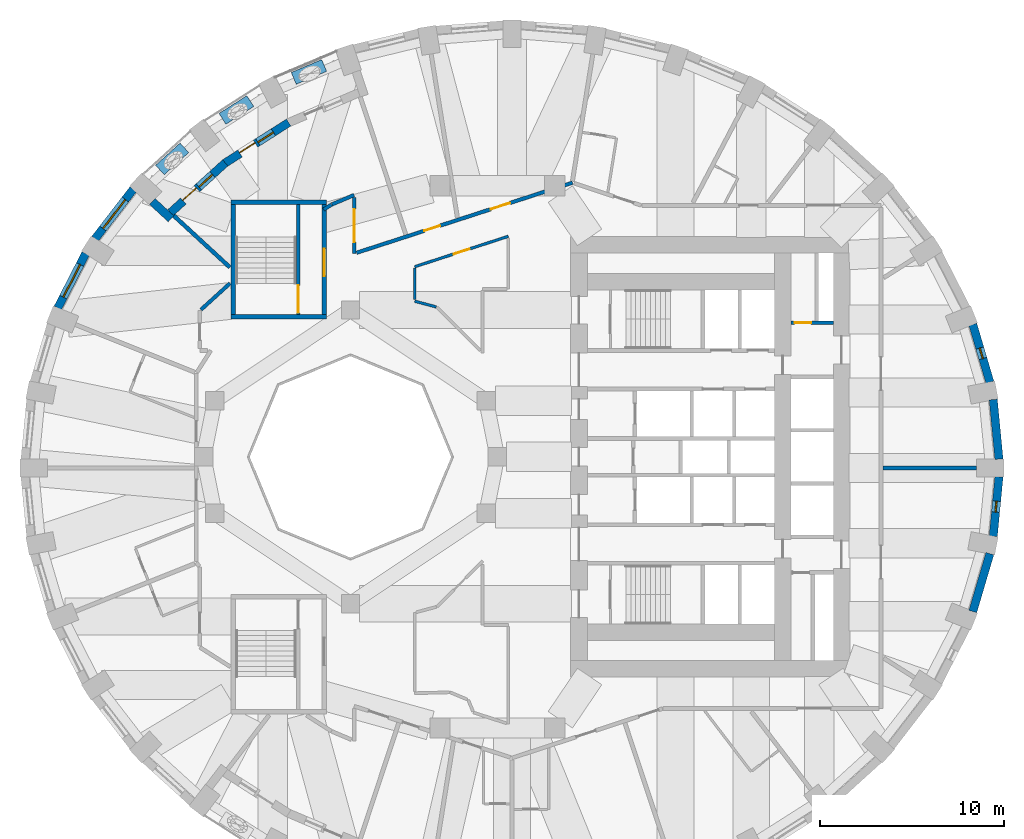
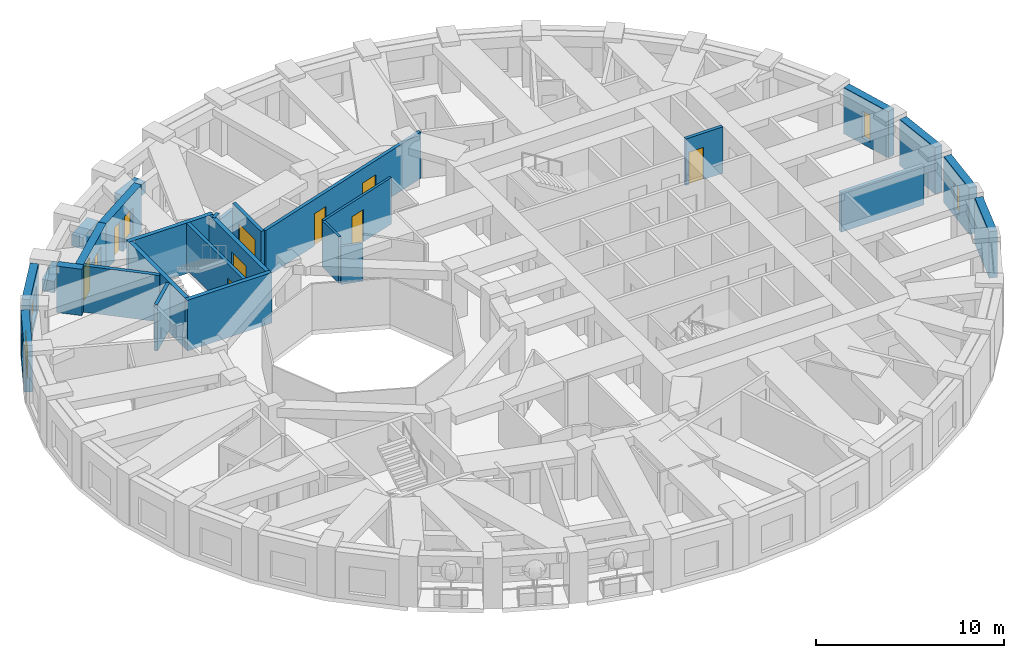
# One storey, part 7 of 12: 28 walls, 9 doors, 6 windows, 15 openings.
"""IFC4 building model written with IfcOpenShell, lengths in metres."""

from ifc_helpers import new_model, si_unit, direction, frame, frame_2d, origin, place, context, subcontext, project, spatial, rectangle, extrude, material, layer, layer_set, constituent, constituent_set, type_object, element, fill, save


model = new_model("IFC4")

# Units and contexts
model_context = context("Model", 3, precision=1e-05, world=origin(), true_north=direction((0.0, 1.0)))
body_context = subcontext(model_context, "Body", "Model", "MODEL_VIEW")
ifc_project = project(units=[si_unit("LENGTHUNIT", "METRE"), si_unit("AREAUNIT", "SQUARE_METRE"), si_unit("VOLUMEUNIT", "CUBIC_METRE"), si_unit("PLANEANGLEUNIT", "RADIAN"), si_unit("MASSUNIT", "GRAM", prefix="KILO")], contexts=[model_context])

# Site, building, storey
site_placement = place(None, origin())
site = spatial("IfcSite", under=ifc_project, at=site_placement, CompositionType="ELEMENT")
building_placement = place(site_placement, origin())
building = spatial("IfcBuilding", under=site, at=building_placement, Name="Taillehof Tower", CompositionType="ELEMENT")
storey_placement = place(building_placement, frame((0.0, 0.0, 125.199951171875)))
storey = spatial("IfcBuildingStorey", under=building, at=storey_placement, Name="L35", CompositionType="ELEMENT", Elevation=125.199951171875)

# Wall
ifc_material_1 = material(Name="Brick masonry", Category="masonry")
ifc_layer_1 = layer(ifc_material_1, 0.449951171875)
ifc_layer_set_1 = layer_set([ifc_layer_1], Name="Brick infill wall 450")
wall_type_1 = type_object("IfcWallType", Name="Brick infill wall 450", PredefinedType="SOLIDWALL", material=ifc_layer_set_1)
wall_1_placement = place(storey_placement, frame((27.32763671875, -0.119873046875, 0.0), z_axis=(0.0, 0.0, 1.0), x_axis=(-0.09589355735, 0.995391594127, 0.0)))
element("IfcWall", 1, at=wall_1_placement, inside=storey, type_object=wall_type_1, Name="Brick wall L35 bay 1", PredefinedType="SOLIDWALL", context=body_context, shape_type="SweptSolid", body=[
    extrude(rectangle(XDim=3.261474609375, YDim=0.449951171875, at=frame_2d((1.630859375, 0.0))), origin(), (0.0, 0.0, 1.0), 3.02001953125),
])

# Wall, opening, window
wall_2_placement = place(storey_placement, frame((26.83203125, 4.069091796875, 0.0), z_axis=(0.0, 0.0, 1.0), x_axis=(-0.283002902729, 0.959119052593, 0.0)))
wall_2 = element("IfcWall", 2, at=wall_2_placement, inside=storey, type_object=wall_type_1, Name="Brick wall L35 bay 2", PredefinedType="SOLIDWALL", context=body_context, shape_type="SweptSolid", body=[
    extrude(rectangle(XDim=3.285888671875, YDim=0.449951171875, at=frame_2d((1.64306640625, 0.0))), origin(), (0.0, 0.0, 1.0), 3.02001953125),
])
opening_1_placement = place(wall_2_placement, frame((1.343017578125, 0.0, 0.39990234375)))
opening_1 = element("IfcOpeningElement", 3, at=opening_1_placement, cuts=wall_2, Name="Opening W6", PredefinedType="OPENING", context=body_context, shape_type="SweptSolid", body=[
    extrude(rectangle(XDim=0.60009765625, YDim=1.75, at=frame_2d((0.300048828125, 0.875))), frame((0.0, 0.23486328125, 0.0), z_axis=(0.0, -1.0, 0.0), x_axis=(1.0, 0.0, 0.0)), (0.0, 0.0, 1.0), 0.469970703125),
])
ifc_material_2 = material(Name="Aluminium window frame with clear double glazing", Category="aluminium")
window_type_1 = type_object("IfcWindowType", Name="Slot window 600x1750", PartitioningType="SINGLE_PANEL", PredefinedType="WINDOW", material=ifc_material_2)
window_1_placement = place(opening_1_placement, origin())
window_1 = element("IfcWindow", 4, at=window_1_placement, inside=storey, type_object=window_type_1, Name="W6", OverallHeight=1.75, OverallWidth=0.60009765625, PartitioningType="SINGLE_PANEL", PredefinedType="WINDOW", context=body_context, shape_type="SweptSolid", body=[
    extrude(rectangle(XDim=0.60009765625, YDim=1.75, at=frame_2d((0.300048828125, 0.875))), frame((0.0, 0.034912109375, 0.0), z_axis=(0.0, -1.0, 0.0), x_axis=(1.0, 0.0, 0.0)), (0.0, 0.0, 1.0), 0.06005859375),
])
fill(opening_1, window_1)

wall_3_placement = place(storey_placement, frame((-19.835205078125, 14.575439453125, 0.0), z_axis=(0.0, 0.0, 1.0), x_axis=(-0.610693945156, -0.791866721961, 0.0)))
wall_3 = element("IfcWall", 5, at=wall_3_placement, inside=storey, type_object=wall_type_1, Name="Brick wall L35 bay 15", PredefinedType="SOLIDWALL", context=body_context, shape_type="SweptSolid", body=[
    extrude(rectangle(XDim=3.39453125, YDim=0.449951171875, at=frame_2d((1.697265625, 0.0))), origin(), (0.0, 0.0, 1.0), 3.02001953125),
])
opening_2_placement = place(wall_3_placement, frame((0.697265625, 0.0, 0.39990234375)))
opening_2 = element("IfcOpeningElement", 6, at=opening_2_placement, cuts=wall_3, Name="Opening W2", PredefinedType="OPENING", context=body_context, shape_type="SweptSolid", body=[
    extrude(rectangle(XDim=2.0, YDim=1.75, at=frame_2d((1.0, 0.875))), frame((0.0, 0.23486328125, 0.0), z_axis=(0.0, -1.0, 0.0), x_axis=(1.0, 0.0, 0.0)), (0.0, 0.0, 1.0), 0.469970703125),
])
ifc_material_3 = material(Name="Aluminium window frame with clear double glazing", Category="aluminium")
window_type_2 = type_object("IfcWindowType", Name="Deep-set window 2000x1750", PartitioningType="SINGLE_PANEL", PredefinedType="WINDOW", material=ifc_material_3)
window_2_placement = place(opening_2_placement, origin())
window_2 = element("IfcWindow", 7, at=window_2_placement, inside=storey, type_object=window_type_2, Name="W2", OverallHeight=1.75, OverallWidth=2.0, PartitioningType="SINGLE_PANEL", PredefinedType="WINDOW", context=body_context, shape_type="SweptSolid", body=[
    extrude(rectangle(XDim=2.0, YDim=1.75, at=frame_2d((1.0, 0.875))), frame((0.0, 0.034912109375, 0.0), z_axis=(0.0, -1.0, 0.0), x_axis=(1.0, 0.0, 0.0)), (0.0, 0.0, 1.0), 0.06005859375),
])
fill(opening_2, window_2)

wall_4_placement = place(storey_placement, frame((-22.4228515625, 11.076904296875, 0.0), z_axis=(0.0, 0.0, 1.0), x_axis=(-0.456828186229, -0.889554949549, 0.0)))
wall_4 = element("IfcWall", 8, at=wall_4_placement, inside=storey, type_object=wall_type_1, Name="Brick wall L35 bay 16", PredefinedType="SOLIDWALL", context=body_context, shape_type="SweptSolid", body=[
    extrude(rectangle(XDim=3.332763671875, YDim=0.449951171875, at=frame_2d((1.66650390625, 0.0))), origin(), (0.0, 0.0, 1.0), 3.02001953125),
])
opening_3_placement = place(wall_4_placement, frame((0.666259765625, 0.0, 0.39990234375)))
opening_3 = element("IfcOpeningElement", 9, at=opening_3_placement, cuts=wall_4, Name="Opening W2", PredefinedType="OPENING", context=body_context, shape_type="SweptSolid", body=[
    extrude(rectangle(XDim=2.0, YDim=1.75, at=frame_2d((1.0, 0.875))), frame((0.0, 0.23486328125, 0.0), z_axis=(0.0, -1.0, 0.0), x_axis=(1.0, 0.0, 0.0)), (0.0, 0.0, 1.0), 0.469970703125),
])
window_3_placement = place(opening_3_placement, origin())
window_3 = element("IfcWindow", 10, at=window_3_placement, inside=storey, type_object=window_type_2, Name="W2", OverallHeight=1.75, OverallWidth=2.0, PartitioningType="SINGLE_PANEL", PredefinedType="WINDOW", context=body_context, shape_type="SweptSolid", body=[
    extrude(rectangle(XDim=2.0, YDim=1.75, at=frame_2d((1.0, 0.875))), frame((0.0, 0.034912109375, 0.0), z_axis=(0.0, -1.0, 0.0), x_axis=(1.0, 0.0, 0.0)), (0.0, 0.0, 1.0), 0.06005859375),
])
fill(opening_3, window_3)

# Wall
wall_5_placement = place(storey_placement, frame((25.902099609375, -8.4208984375, 0.0), z_axis=(0.0, 0.0, 1.0), x_axis=(0.282982737009, 0.95912500257, 0.0)))
element("IfcWall", 11, at=wall_5_placement, inside=storey, type_object=wall_type_1, Name="Brick wall L35 bay 35", PredefinedType="SOLIDWALL", context=body_context, shape_type="SweptSolid", body=[
    extrude(rectangle(XDim=3.2861328125, YDim=0.449951171875, at=frame_2d((1.64306640625, 0.0))), origin(), (0.0, 0.0, 1.0), 3.02001953125),
])

# Wall, opening, window
wall_6_placement = place(storey_placement, frame((27.014892578125, -4.326416015625, 0.0), z_axis=(0.0, 0.0, 1.0), x_axis=(0.09589355735, 0.995391594127, 0.0)))
wall_6 = element("IfcWall", 12, at=wall_6_placement, inside=storey, type_object=wall_type_1, Name="Brick wall L35 bay 36", PredefinedType="SOLIDWALL", context=body_context, shape_type="SweptSolid", body=[
    extrude(rectangle(XDim=3.261474609375, YDim=0.449951171875, at=frame_2d((1.630859375, 0.0))), origin(), (0.0, 0.0, 1.0), 3.02001953125),
])
opening_4_placement = place(wall_6_placement, frame((1.33056640625, 0.0, 0.39990234375)))
opening_4 = element("IfcOpeningElement", 13, at=opening_4_placement, cuts=wall_6, Name="Opening W6", PredefinedType="OPENING", context=body_context, shape_type="SweptSolid", body=[
    extrude(rectangle(XDim=0.60009765625, YDim=1.75, at=frame_2d((0.300048828125, 0.875))), frame((0.0, 0.23486328125, 0.0), z_axis=(0.0, -1.0, 0.0), x_axis=(1.0, 0.0, 0.0)), (0.0, 0.0, 1.0), 0.469970703125),
])
window_4_placement = place(opening_4_placement, origin())
window_4 = element("IfcWindow", 14, at=window_4_placement, inside=storey, type_object=window_type_1, Name="W6", OverallHeight=1.75, OverallWidth=0.60009765625, PartitioningType="SINGLE_PANEL", PredefinedType="WINDOW", context=body_context, shape_type="SweptSolid", body=[
    extrude(rectangle(XDim=0.60009765625, YDim=1.75, at=frame_2d((0.300048828125, 0.875))), frame((0.0, 0.034912109375, 0.0), z_axis=(0.0, -1.0, 0.0), x_axis=(1.0, 0.0, 0.0)), (0.0, 0.0, 1.0), 0.06005859375),
])
fill(opening_4, window_4)

# Wall
wall_7_placement = place(storey_placement, frame((-18.794677734375, 13.916015625, 0.0), z_axis=(0.0, 0.0, 1.0), x_axis=(0.735395448697, -0.677638202905, 0.0)))
element("IfcWall", 15, at=wall_7_placement, inside=storey, type_object=wall_type_1, Name="Brick reveal L35 pocket 3", PredefinedType="SOLIDWALL", context=body_context, shape_type="SweptSolid", body=[
    extrude(rectangle(XDim=1.390625, YDim=0.449951171875, at=frame_2d((0.6953125, 0.0))), origin(), (0.0, 0.0, 1.0), 3.02001953125),
])

# Wall, openings, door, window
wall_8_placement = place(storey_placement, frame((-11.3623046875, 18.216796875, 0.0), z_axis=(0.0, 0.0, 1.0), x_axis=(-0.843284405788, -0.537467590609, 0.0)))
wall_8 = element("IfcWall", 16, at=wall_8_placement, inside=storey, type_object=wall_type_1, Name="Brick wall L35 pocket bay 13", PredefinedType="SOLIDWALL", context=body_context, shape_type="SweptSolid", body=[
    extrude(rectangle(XDim=4.134521484375, YDim=0.449951171875, at=frame_2d((2.0673828125, 0.0))), origin(), (0.0, 0.0, 1.0), 3.02001953125),
])
opening_5_placement = place(wall_8_placement, frame((0.9921875, 0.0, 0.39990234375)))
opening_5 = element("IfcOpeningElement", 17, at=opening_5_placement, cuts=wall_8, Name="Opening W5", PredefinedType="OPENING", context=body_context, shape_type="SweptSolid", body=[
    extrude(rectangle(XDim=1.0, YDim=1.75, at=frame_2d((0.5, 0.875))), frame((0.0, 0.23486328125, 0.0), z_axis=(0.0, -1.0, 0.0), x_axis=(1.0, 0.0, 0.0)), (0.0, 0.0, 1.0), 0.469970703125),
])
opening_6_placement = place(wall_8_placement, frame((2.142333984375, 0.0, 0.0)))
opening_6 = element("IfcOpeningElement", 18, at=opening_6_placement, cuts=wall_8, Name="Opening D3595", PredefinedType="OPENING", context=body_context, shape_type="SweptSolid", body=[
    extrude(rectangle(XDim=1.0, YDim=2.14990234375, at=frame_2d((0.5, 1.074951171875))), frame((0.0, 0.23486328125, 0.0), z_axis=(0.0, -1.0, 0.0), x_axis=(1.0, 0.0, 0.0)), (0.0, 0.0, 1.0), 0.469970703125),
])
ifc_material_4 = material(Name="Aluminium door frame with clear double glazing", Category="aluminium")
door_type_1 = type_object("IfcDoorType", Name="Balcony door 1000x2150", OperationType="SINGLE_SWING_RIGHT", PredefinedType="DOOR", material=ifc_material_4)
door_1_placement = place(opening_6_placement, frame((1.0, 0.0, 0.0), z_axis=(0.0, 0.0, 1.0), x_axis=(-1.0, 0.0, 0.0)))
door_1 = element("IfcDoor", 19, at=door_1_placement, inside=storey, type_object=door_type_1, Name="Balcony door L35 bay 13", OperationType="SINGLE_SWING_LEFT", OverallHeight=2.14990234375, OverallWidth=1.0, PredefinedType="DOOR", context=body_context, shape_type="SweptSolid", body=[
    extrude(rectangle(XDim=1.0, YDim=2.14990234375, at=frame_2d((0.5, 1.074951171875))), frame((0.0, 0.0751953125, 0.0), z_axis=(0.0, -1.0, 0.0), x_axis=(1.0, 0.0, 0.0)), (0.0, 0.0, 1.0), 0.050048828125),
])
fill(opening_6, door_1)
ifc_material_5 = material(Name="Aluminium window frame with clear double glazing", Category="aluminium")
window_type_3 = type_object("IfcWindowType", Name="Fixed window 1000x1750", PartitioningType="SINGLE_PANEL", PredefinedType="WINDOW", material=ifc_material_5)
window_5_placement = place(opening_5_placement, origin())
window_5 = element("IfcWindow", 20, at=window_5_placement, inside=storey, type_object=window_type_3, Name="W5", OverallHeight=1.75, OverallWidth=1.0, PartitioningType="SINGLE_PANEL", PredefinedType="WINDOW", context=body_context, shape_type="SweptSolid", body=[
    extrude(rectangle(XDim=1.0, YDim=1.75, at=frame_2d((0.5, 0.875))), frame((0.0, 0.034912109375, 0.0), z_axis=(0.0, -1.0, 0.0), x_axis=(1.0, 0.0, 0.0)), (0.0, 0.0, 1.0), 0.06005859375),
])
fill(opening_5, window_5)

wall_9_placement = place(storey_placement, frame((-14.818359375, 16.01806640625, 0.0), z_axis=(0.0, 0.0, 1.0), x_axis=(-0.739460283824, -0.673200184675, 0.0)))
wall_9 = element("IfcWall", 21, at=wall_9_placement, inside=storey, type_object=wall_type_1, Name="Brick wall L35 pocket bay 14", PredefinedType="SOLIDWALL", context=body_context, shape_type="SweptSolid", body=[
    extrude(rectangle(XDim=4.031005859375, YDim=0.449951171875, at=frame_2d((2.015625, 0.0))), origin(), (0.0, 0.0, 1.0), 3.02001953125),
])
opening_7_placement = place(wall_9_placement, frame((0.9404296875, 0.0, 0.39990234375)))
opening_7 = element("IfcOpeningElement", 22, at=opening_7_placement, cuts=wall_9, Name="Opening W5", PredefinedType="OPENING", context=body_context, shape_type="SweptSolid", body=[
    extrude(rectangle(XDim=1.0, YDim=1.75, at=frame_2d((0.5, 0.875))), frame((0.0, 0.23486328125, 0.0), z_axis=(0.0, -1.0, 0.0), x_axis=(1.0, 0.0, 0.0)), (0.0, 0.0, 1.0), 0.469970703125),
])
opening_8_placement = place(wall_9_placement, frame((2.090576171875, 0.0, 0.0)))
opening_8 = element("IfcOpeningElement", 23, at=opening_8_placement, cuts=wall_9, Name="Opening D3596", PredefinedType="OPENING", context=body_context, shape_type="SweptSolid", body=[
    extrude(rectangle(XDim=1.0, YDim=2.14990234375, at=frame_2d((0.5, 1.074951171875))), frame((0.0, 0.23486328125, 0.0), z_axis=(0.0, -1.0, 0.0), x_axis=(1.0, 0.0, 0.0)), (0.0, 0.0, 1.0), 0.469970703125),
])
door_2_placement = place(opening_8_placement, frame((1.0, 0.0, 0.0), z_axis=(0.0, 0.0, 1.0), x_axis=(-1.0, 0.0, 0.0)))
door_2 = element("IfcDoor", 24, at=door_2_placement, inside=storey, type_object=door_type_1, Name="Balcony door L35 bay 14", OperationType="SINGLE_SWING_LEFT", OverallHeight=2.14990234375, OverallWidth=1.0, PredefinedType="DOOR", context=body_context, shape_type="SweptSolid", body=[
    extrude(rectangle(XDim=1.0, YDim=2.14990234375, at=frame_2d((0.5, 1.074951171875))), frame((0.0, 0.0751953125, 0.0), z_axis=(0.0, -1.0, 0.0), x_axis=(1.0, 0.0, 0.0)), (0.0, 0.0, 1.0), 0.050048828125),
])
fill(opening_8, door_2)
window_6_placement = place(opening_7_placement, origin())
window_6 = element("IfcWindow", 25, at=window_6_placement, inside=storey, type_object=window_type_3, Name="W5", OverallHeight=1.75, OverallWidth=1.0, PartitioningType="SINGLE_PANEL", PredefinedType="WINDOW", context=body_context, shape_type="SweptSolid", body=[
    extrude(rectangle(XDim=1.0, YDim=1.75, at=frame_2d((0.5, 0.875))), frame((0.0, 0.034912109375, 0.0), z_axis=(0.0, -1.0, 0.0), x_axis=(1.0, 0.0, 0.0)), (0.0, 0.0, 1.0), 0.06005859375),
])
fill(opening_7, window_6)

# Wall, opening, door
ifc_material_6 = material(Name="Calcium silicate masonry", Category="masonry")
ifc_layer_2 = layer(ifc_material_6, 0.199951171875)
ifc_layer_set_2 = layer_set([ifc_layer_2], Name="Compartment wall calcium silicate 200")
wall_type_2 = type_object("IfcWallType", Name="Compartment wall calcium silicate 200", PredefinedType="PARTITIONING", material=ifc_layer_set_2)
wall_10_placement = place(storey_placement, frame((16.0, 7.300048828125, 0.0), z_axis=(0.0, 0.0, 1.0), x_axis=(1.0, 0.0, 0.0)))
wall_10 = element("IfcWall", 26, at=wall_10_placement, inside=storey, type_object=wall_type_2, Name="Compartment wall FW", PredefinedType="PARTITIONING", context=body_context, shape_type="SweptSolid", body=[
    extrude(rectangle(XDim=2.300048828125, YDim=0.199951171875, at=frame_2d((1.14990234375, 0.0))), origin(), (0.0, 0.0, 1.0), 3.02001953125),
])
opening_9_placement = place(wall_10_placement, frame((0.199951171875, 0.0, 0.0)))
opening_9 = element("IfcOpeningElement", 27, at=opening_9_placement, cuts=wall_10, Name="Opening D3516", PredefinedType="OPENING", context=body_context, shape_type="SweptSolid", body=[
    extrude(rectangle(XDim=0.89990234375, YDim=2.10009765625, at=frame_2d((0.449951171875, 1.050048828125))), frame((0.0, 0.10986328125, 0.0), z_axis=(0.0, -1.0, 0.0), x_axis=(1.0, 0.0, 0.0)), (0.0, 0.0, 1.0), 0.219970703125),
])
ifc_material_7 = material(Name="Steel-faced fire door", Category="steel")
door_type_2 = type_object("IfcDoorType", Name="Riser and service room door 900x2100", OperationType="SINGLE_SWING_LEFT", PredefinedType="DOOR", material=ifc_material_7)
door_3_placement = place(opening_9_placement, origin())
door_3 = element("IfcDoor", 28, at=door_3_placement, inside=storey, type_object=door_type_2, Name="Door Waste Room", OperationType="SINGLE_SWING_RIGHT", OverallHeight=2.10009765625, OverallWidth=0.89990234375, PredefinedType="DOOR", context=body_context, shape_type="SweptSolid", body=[
    extrude(rectangle(XDim=0.89990234375, YDim=2.10009765625, at=frame_2d((0.449951171875, 1.050048828125))), frame((0.0, 0.02490234375, 0.0), z_axis=(0.0, -1.0, 0.0), x_axis=(1.0, 0.0, 0.0)), (0.0, 0.0, 1.0), 0.050048828125),
])
fill(opening_9, door_3)

# Walls
ifc_material_8 = material(Name="Gypsum board on steel studs, two layers each side", Category="steel")
ifc_layer_3 = layer(ifc_material_8, 0.199951171875)
ifc_layer_set_3 = layer_set([ifc_layer_3], Name="Compartment wall corridor 200")
wall_type_3 = type_object("IfcWallType", Name="Compartment wall corridor 200", PredefinedType="PARTITIONING", material=ifc_layer_set_3)
wall_11_placement = place(storey_placement, frame((-16.140380859375, 8.0185546875, 0.0), z_axis=(0.0, 0.0, 1.0), x_axis=(0.739392120684, 0.673275049197, 0.0)))
element("IfcWall", 29, at=wall_11_placement, inside=storey, type_object=wall_type_3, Name="Compartment wall", PredefinedType="PARTITIONING", context=body_context, shape_type="SweptSolid", body=[
    extrude(rectangle(XDim=2.137939453125, YDim=0.199951171875, at=frame_2d((1.06884765625, 0.0))), origin(), (0.0, 0.0, 1.0), 3.02001953125),
])
wall_12_placement = place(storey_placement, frame((-9.455078125, 13.4736328125, 0.0), z_axis=(0.0, 0.0, 1.0), x_axis=(0.843342387181, 0.537376607216, 0.0)))
element("IfcWall", 30, at=wall_12_placement, inside=storey, type_object=wall_type_3, Name="Compartment wall", PredefinedType="PARTITIONING", context=body_context, shape_type="SweptSolid", body=[
    extrude(rectangle(XDim=0.50439453125, YDim=0.199951171875, at=frame_2d((0.252197265625, 0.0))), origin(), (0.0, 0.0, 1.0), 3.02001953125),
])
wall_13_placement = place(storey_placement, frame((-9.011474609375, 13.75244140625, 0.0), z_axis=(0.0, 0.0, 1.0), x_axis=(0.920454408747, 0.390849947446, 0.0)))
element("IfcWall", 31, at=wall_13_placement, inside=storey, type_object=wall_type_3, Name="Compartment wall", PredefinedType="PARTITIONING", context=body_context, shape_type="SweptSolid", body=[
    extrude(rectangle(XDim=1.316162109375, YDim=0.199951171875, at=frame_2d((0.658203125, 0.0))), origin(), (0.0, 0.0, 1.0), 2.570068359375),
])

# Wall, opening, door
wall_14_placement = place(storey_placement, frame((-7.800048828125, 14.126708984375, 0.0), z_axis=(0.0, 0.0, 1.0), x_axis=(0.0, -1.0, 0.0)))
wall_14 = element("IfcWall", 32, at=wall_14_placement, inside=storey, type_object=wall_type_3, Name="Compartment wall", PredefinedType="PARTITIONING", context=body_context, shape_type="SweptSolid", body=[
    extrude(rectangle(XDim=3.05029296875, YDim=0.199951171875, at=frame_2d((1.525146484375, 0.0))), origin(), (0.0, 0.0, 1.0), 3.02001953125),
])
opening_10_placement = place(wall_14_placement, frame((0.625244140625, 0.0, 0.0)))
opening_10 = element("IfcOpeningElement", 33, at=opening_10_placement, cuts=wall_14, Name="Opening D3546", PredefinedType="OPENING", context=body_context, shape_type="SweptSolid", body=[
    extrude(rectangle(XDim=1.800048828125, YDim=2.10009765625, at=frame_2d((0.89990234375, 1.050048828125))), frame((0.0, 0.10986328125, 0.0), z_axis=(0.0, -1.0, 0.0), x_axis=(1.0, 0.0, 0.0)), (0.0, 0.0, 1.0), 0.219970703125),
])
ifc_material_9 = material(Name="Timber door leaf in steel frame", Category="steel")
door_type_3 = type_object("IfcDoorType", Name="Lounge and meeting room double door EI 30 1800 x 2100", OperationType="SINGLE_SWING_LEFT", PredefinedType="DOOR", material=ifc_material_9)
door_4_placement = place(opening_10_placement, origin())
door_4 = element("IfcDoor", 34, at=door_4_placement, inside=storey, type_object=door_type_3, Name="D3546", OperationType="DOUBLE_DOOR_SINGLE_SWING", OverallHeight=2.10009765625, OverallWidth=1.800048828125, PredefinedType="DOOR", context=body_context, shape_type="SweptSolid", body=[
    extrude(rectangle(XDim=1.800048828125, YDim=2.10009765625, at=frame_2d((0.89990234375, 1.050048828125))), frame((0.0, 0.02490234375, 0.0), z_axis=(0.0, -1.0, 0.0), x_axis=(1.0, 0.0, 0.0)), (0.0, 0.0, 1.0), 0.050048828125),
])
fill(opening_10, door_4)

# Wall, openings, doors
wall_15_placement = place(storey_placement, frame((-7.666748046875, 11.119140625, 0.0), z_axis=(0.0, 0.0, 1.0), x_axis=(0.951088334028, 0.308919052304, 0.0)))
wall_15 = element("IfcWall", 35, at=wall_15_placement, inside=storey, type_object=wall_type_3, Name="Compartment wall", PredefinedType="PARTITIONING", context=body_context, shape_type="SweptSolid", body=[
    extrude(rectangle(XDim=12.362060546875, YDim=0.199951171875, at=frame_2d((6.18115234375, 0.0))), origin(), (0.0, 0.0, 1.0), 3.02001953125),
])
opening_11_placement = place(wall_15_placement, frame((7.686279296875, 0.0, 0.0)))
opening_11 = element("IfcOpeningElement", 36, at=opening_11_placement, cuts=wall_15, Name="Opening D3544", PredefinedType="OPENING", context=body_context, shape_type="SweptSolid", body=[
    extrude(rectangle(XDim=1.10009765625, YDim=2.10009765625, at=frame_2d((0.550048828125, 1.050048828125))), frame((0.0, 0.10986328125, 0.0), z_axis=(0.0, -1.0, 0.0), x_axis=(1.0, 0.0, 0.0)), (0.0, 0.0, 1.0), 0.219970703125),
])
opening_12_placement = place(wall_15_placement, frame((3.879638671875, 0.0, 0.0)))
opening_12 = element("IfcOpeningElement", 37, at=opening_12_placement, cuts=wall_15, Name="Opening D3545", PredefinedType="OPENING", context=body_context, shape_type="SweptSolid", body=[
    extrude(rectangle(XDim=0.89990234375, YDim=2.10009765625, at=frame_2d((0.449951171875, 1.050048828125))), frame((0.0, 0.10986328125, 0.0), z_axis=(0.0, -1.0, 0.0), x_axis=(1.0, 0.0, 0.0)), (0.0, 0.0, 1.0), 0.219970703125),
])
ifc_material_10 = material(Name="Timber door leaf in steel frame", Category="steel")
door_type_4 = type_object("IfcDoorType", Name="Service room door EI 30 900 x 2100", OperationType="SINGLE_SWING_LEFT", PredefinedType="DOOR", material=ifc_material_10)
door_5_placement = place(opening_12_placement, origin())
door_5 = element("IfcDoor", 38, at=door_5_placement, inside=storey, type_object=door_type_4, Name="D3545", OperationType="SINGLE_SWING_RIGHT", OverallHeight=2.10009765625, OverallWidth=0.89990234375, PredefinedType="DOOR", context=body_context, shape_type="SweptSolid", body=[
    extrude(rectangle(XDim=0.89990234375, YDim=2.10009765625, at=frame_2d((0.449951171875, 1.050048828125))), frame((0.0, 0.02490234375, 0.0), z_axis=(0.0, -1.0, 0.0), x_axis=(1.0, 0.0, 0.0)), (0.0, 0.0, 1.0), 0.050048828125),
])
fill(opening_12, door_5)
ifc_material_11 = material(Name="Timber door leaf in steel frame", Category="steel")
door_type_5 = type_object("IfcDoorType", Name="Suite entrance door EI 30 1100 x 2100", OperationType="SINGLE_SWING_LEFT", PredefinedType="DOOR", material=ifc_material_11)
door_6_placement = place(opening_11_placement, origin())
door_6 = element("IfcDoor", 39, at=door_6_placement, inside=storey, type_object=door_type_5, Name="D3544", OperationType="SINGLE_SWING_LEFT", OverallHeight=2.10009765625, OverallWidth=1.10009765625, PredefinedType="DOOR", context=body_context, shape_type="SweptSolid", body=[
    extrude(rectangle(XDim=1.10009765625, YDim=2.10009765625, at=frame_2d((0.550048828125, 1.050048828125))), frame((0.0, 0.02490234375, 0.0), z_axis=(0.0, -1.0, 0.0), x_axis=(1.0, 0.0, 0.0)), (0.0, 0.0, 1.0), 0.050048828125),
])
fill(opening_11, door_6)

# Walls
ifc_material_12 = material(Name="Gypsum board on double steel studs with mineral wool", Category="steel")
ifc_layer_4 = layer(ifc_material_12, 0.219970703125)
ifc_layer_set_4 = layer_set([ifc_layer_4], Name="Compartment wall guest room 220")
wall_type_4 = type_object("IfcWallType", Name="Compartment wall guest room 220", PredefinedType="PARTITIONING", material=ifc_layer_set_4)
wall_16_placement = place(storey_placement, frame((26.10009765625, -0.60009765625, 0.0), z_axis=(0.0, 0.0, 1.0), x_axis=(-1.0, 0.0, 0.0)))
element("IfcWall", 40, at=wall_16_placement, inside=storey, type_object=wall_type_4, Name="Compartment wall", PredefinedType="PARTITIONING", context=body_context, shape_type="SweptSolid", body=[
    extrude(rectangle(XDim=5.10009765625, YDim=0.219970703125, at=frame_2d((2.550048828125, 0.0))), origin(), (0.0, 0.0, 1.0), 2.570068359375),
])
wall_17_placement = place(storey_placement, frame((-17.633056640625, 13.1513671875, 0.0), z_axis=(0.0, 0.0, 1.0), x_axis=(0.73535370522, -0.677683501511, 0.0)))
element("IfcWall", 41, at=wall_17_placement, inside=storey, type_object=wall_type_4, Name="Compartment wall", PredefinedType="PARTITIONING", context=body_context, shape_type="SweptSolid", body=[
    extrude(rectangle(XDim=4.165771484375, YDim=0.219970703125, at=frame_2d((2.0830078125, 0.0))), origin(), (0.0, 0.0, 1.0), 3.02001953125),
])

# Wall, opening, door
ifc_material_13 = material(Name="Gypsum board on steel studs, two layers each side", Category="steel")
ifc_layer_5 = layer(ifc_material_13, 0.14990234375)
ifc_layer_set_5 = layer_set([ifc_layer_5], Name="Compartment wall service room 150")
wall_type_5 = type_object("IfcWallType", Name="Compartment wall service room 150", PredefinedType="PARTITIONING", material=ifc_layer_set_5)
wall_18_placement = place(storey_placement, frame((-4.5, 10.360595703125, 0.0), z_axis=(0.0, 0.0, 1.0), x_axis=(0.951090931116, 0.308911056372, 0.0)))
wall_18 = element("IfcWall", 42, at=wall_18_placement, inside=storey, type_object=wall_type_5, Name="Compartment wall", PredefinedType="PARTITIONING", context=body_context, shape_type="SweptSolid", body=[
    extrude(rectangle(XDim=5.3623046875, YDim=0.14990234375, at=frame_2d((2.68115234375, 0.0))), origin(), (0.0, 0.0, 1.0), 3.02001953125),
])
opening_13_placement = place(wall_18_placement, frame((2.231201171875, 0.0, 0.0)))
opening_13 = element("IfcOpeningElement", 43, at=opening_13_placement, cuts=wall_18, Name="Opening D3566", PredefinedType="OPENING", context=body_context, shape_type="SweptSolid", body=[
    extrude(rectangle(XDim=0.89990234375, YDim=2.10009765625, at=frame_2d((0.449951171875, 1.050048828125))), frame((0.0, 0.0849609375, 0.0), z_axis=(0.0, -1.0, 0.0), x_axis=(1.0, 0.0, 0.0)), (0.0, 0.0, 1.0), 0.169921875),
])
door_7_placement = place(opening_13_placement, origin())
door_7 = element("IfcDoor", 44, at=door_7_placement, inside=storey, type_object=door_type_4, Name="D3566", OperationType="SINGLE_SWING_LEFT", OverallHeight=2.10009765625, OverallWidth=0.89990234375, PredefinedType="DOOR", context=body_context, shape_type="SweptSolid", body=[
    extrude(rectangle(XDim=0.89990234375, YDim=2.10009765625, at=frame_2d((0.449951171875, 1.050048828125))), frame((0.0, 0.02490234375, 0.0), z_axis=(0.0, -1.0, 0.0), x_axis=(1.0, 0.0, 0.0)), (0.0, 0.0, 1.0), 0.050048828125),
])
fill(opening_13, door_7)

# Walls
wall_19_placement = place(storey_placement, frame((-3.328125, 8.169189453125, 0.0), z_axis=(0.0, 0.0, 1.0), x_axis=(-0.965933680277, 0.258789731841, 0.0)))
element("IfcWall", 45, at=wall_19_placement, inside=storey, type_object=wall_type_5, Name="Compartment wall", PredefinedType="PARTITIONING", context=body_context, shape_type="SweptSolid", body=[
    extrude(rectangle(XDim=1.213134765625, YDim=0.14990234375, at=frame_2d((0.6064453125, 0.0))), origin(), (0.0, 0.0, 1.0), 2.469970703125),
])
wall_20_placement = place(storey_placement, frame((-4.5, 8.563232421875, 0.0), z_axis=(0.0, 0.0, 1.0), x_axis=(0.0, 1.0, 0.0)))
element("IfcWall", 46, at=wall_20_placement, inside=storey, type_object=wall_type_5, Name="Compartment wall", PredefinedType="PARTITIONING", context=body_context, shape_type="SweptSolid", body=[
    extrude(rectangle(XDim=1.71728515625, YDim=0.14990234375, at=frame_2d((0.858642578125, 0.0))), origin(), (0.0, 0.0, 1.0), 3.02001953125),
])
ifc_material_14 = material(Name="Concrete C30/37 precast", Category="concrete")
ifc_constituent_1 = constituent(ifc_material_14, Name="Structure", Category="concrete")
ifc_material_15 = material(Name="Insulated lining")
ifc_constituent_2 = constituent(ifc_material_15, Name="Lining")
ifc_constituent_set = constituent_set(constituents=[ifc_constituent_1, ifc_constituent_2], Name="Planter trough 700x750")
wall_type_6 = type_object("IfcWallType", Name="Planter trough 700x750", PredefinedType="USERDEFINED", material=ifc_constituent_set)
for number, where, z_axis, x_axis, name in (
    (47, (-9.431884765625, 21.32177734375, 0.0), (0.0, 0.0, 1.0), (-0.920903594752, -0.389790416984, 0.0), "Planter L35 bay 12"),
    (48, (-13.45361328125, 19.3818359375, 0.0), (0.0, 0.0, 1.0), (-0.843873638802, -0.536541966425, 0.0), "Planter L35 bay 13"),
):
    element("IfcWall", number, at=place(storey_placement, frame(where, z_axis=z_axis, x_axis=x_axis)), inside=storey, type_object=wall_type_6, Name=name, ObjectType="PLANTER", PredefinedType="USERDEFINED", context=body_context, shape_type="SweptSolid", body=[
        extrude(rectangle(XDim=1.800048828125, YDim=0.699951171875, at=frame_2d((0.89990234375, 0.0))), origin(), (0.0, 0.0, 1.0), 0.75),
    ])
wall_21_placement = place(storey_placement, frame((-17.044189453125, 16.839111328125, 0.0), z_axis=(0.0, 0.0, 1.0), x_axis=(-0.740332755969, -0.6722405897, 0.0)))
element("IfcWall", 49, at=wall_21_placement, inside=storey, type_object=wall_type_6, Name="Planter L35 bay 14", ObjectType="PLANTER", PredefinedType="USERDEFINED", context=body_context, shape_type="SweptSolid", body=[
    extrude(rectangle(XDim=1.7998046875, YDim=0.699951171875, at=frame_2d((0.89990234375, 0.0))), origin(), (0.0, 0.0, 1.0), 0.75),
])

# Wall, opening, door
ifc_material_16 = material(Name="Concrete C50/60", Category="concrete")
ifc_layer_6 = layer(ifc_material_16, 0.199951171875)
ifc_layer_set_6 = layer_set([ifc_layer_6], Name="Shaft wall C50/60 200")
wall_type_7 = type_object("IfcWallType", Name="Shaft wall C50/60 200", PredefinedType="SHEAR", material=ifc_layer_set_6)
wall_22_placement = place(storey_placement, frame((-10.85009765625, 7.75, 0.0), z_axis=(0.0, 0.0, 1.0), x_axis=(0.0, 1.0, 0.0)))
wall_22 = element("IfcWall", 50, at=wall_22_placement, inside=storey, type_object=wall_type_7, Name="Shaft wall SW", PredefinedType="SHEAR", context=body_context, shape_type="SweptSolid", body=[
    extrude(rectangle(XDim=6.0, YDim=0.199951171875, at=frame_2d((3.0, 0.0))), origin(), (0.0, 0.0, 1.0), 3.02001953125),
])
opening_14_placement = place(wall_22_placement, frame((0.10009765625, 0.0, 0.0)))
opening_14 = element("IfcOpeningElement", 51, at=opening_14_placement, cuts=wall_22, Name="Opening D3512", PredefinedType="OPENING", context=body_context, shape_type="SweptSolid", body=[
    extrude(rectangle(XDim=1.5, YDim=2.10009765625, at=frame_2d((0.75, 1.050048828125))), frame((0.0, 0.10986328125, 0.0), z_axis=(0.0, -1.0, 0.0), x_axis=(1.0, 0.0, 0.0)), (0.0, 0.0, 1.0), 0.219970703125),
])
ifc_material_17 = material(Name="Steel-faced fire door", Category="steel")
door_type_6 = type_object("IfcDoorType", Name="Stair door 1500x2100", OperationType="DOUBLE_DOOR_SINGLE_SWING", PredefinedType="DOOR", material=ifc_material_17)
door_8_placement = place(opening_14_placement, origin())
door_8 = element("IfcDoor", 52, at=door_8_placement, inside=storey, type_object=door_type_6, Name="Stair lobby door S3", OperationType="DOUBLE_DOOR_SINGLE_SWING", OverallHeight=2.10009765625, OverallWidth=1.5, PredefinedType="DOOR", context=body_context, shape_type="SweptSolid", body=[
    extrude(rectangle(XDim=1.5, YDim=2.10009765625, at=frame_2d((0.75, 1.050048828125))), frame((0.0, 0.02490234375, 0.0), z_axis=(0.0, -1.0, 0.0), x_axis=(1.0, 0.0, 0.0)), (0.0, 0.0, 1.0), 0.050048828125),
])
fill(opening_14, door_8)

# Wall
ifc_material_18 = material(Name="Concrete C50/60", Category="concrete")
ifc_layer_7 = layer(ifc_material_18, 0.25)
ifc_layer_set_7 = layer_set([ifc_layer_7], Name="Stair wall C50/60 250")
wall_type_8 = type_object("IfcWallType", Name="Stair wall C50/60 250", PredefinedType="SHEAR", material=ifc_layer_set_7)
wall_23_placement = place(storey_placement, frame((-14.375, 7.75, -0.280029296875), z_axis=(0.0, 0.0, 1.0), x_axis=(0.0, 1.0, 0.0)))
element("IfcWall", 53, at=wall_23_placement, inside=storey, type_object=wall_type_8, Name="Stair wall SC", PredefinedType="SHEAR", context=body_context, shape_type="SweptSolid", body=[
    extrude(rectangle(XDim=6.0, YDim=0.25, at=frame_2d((3.0, 0.0))), origin(), (0.0, 0.0, 1.0), 3.300048828125),
])

# Wall, opening, door
wall_24_placement = place(storey_placement, frame((-9.425048828125, 7.75, -0.280029296875), z_axis=(0.0, 0.0, 1.0), x_axis=(0.0, 1.0, 0.0)))
wall_24 = element("IfcWall", 54, at=wall_24_placement, inside=storey, type_object=wall_type_8, Name="Stair wall SC", PredefinedType="SHEAR", context=body_context, shape_type="SweptSolid", body=[
    extrude(rectangle(XDim=6.0, YDim=0.25, at=frame_2d((3.0, 0.0))), origin(), (0.0, 0.0, 1.0), 3.300048828125),
])
opening_15_placement = place(wall_24_placement, frame((2.10009765625, 0.0, 0.280029296875)))
opening_15 = element("IfcOpeningElement", 55, at=opening_15_placement, cuts=wall_24, Name="Opening D3519", PredefinedType="OPENING", context=body_context, shape_type="SweptSolid", body=[
    extrude(rectangle(XDim=1.5, YDim=2.10009765625, at=frame_2d((0.75, 1.050048828125))), frame((0.0, 0.135009765625, 0.0), z_axis=(0.0, -1.0, 0.0), x_axis=(1.0, 0.0, 0.0)), (0.0, 0.0, 1.0), 0.27001953125),
])
door_9_placement = place(opening_15_placement, origin())
door_9 = element("IfcDoor", 56, at=door_9_placement, inside=storey, type_object=door_type_6, Name="Stair door S3", OperationType="DOUBLE_DOOR_SINGLE_SWING", OverallHeight=2.10009765625, OverallWidth=1.5, PredefinedType="DOOR", context=body_context, shape_type="SweptSolid", body=[
    extrude(rectangle(XDim=1.5, YDim=2.10009765625, at=frame_2d((0.75, 1.050048828125))), frame((0.0, 0.02490234375, 0.0), z_axis=(0.0, -1.0, 0.0), x_axis=(1.0, 0.0, 0.0)), (0.0, 0.0, 1.0), 0.050048828125),
])
fill(opening_15, door_9)

# Walls
for number, where, z_axis, x_axis, name in (
    (57, (-14.5, 13.875, -0.280029296875), (0.0, 0.0, 1.0), (1.0, 0.0, 0.0), "Stair wall SC"),
    (58, (-14.5, 7.625, -0.280029296875), (0.0, 0.0, 1.0), (1.0, 0.0, 0.0), "Stair wall SC"),
):
    element("IfcWall", number, at=place(storey_placement, frame(where, z_axis=z_axis, x_axis=x_axis)), inside=storey, type_object=wall_type_8, Name=name, PredefinedType="SHEAR", context=body_context, shape_type="SweptSolid", body=[
        extrude(rectangle(XDim=5.199951171875, YDim=0.25, at=frame_2d((2.60009765625, 0.0))), origin(), (0.0, 0.0, 1.0), 3.300048828125),
    ])

save(model, "model.ifc")
